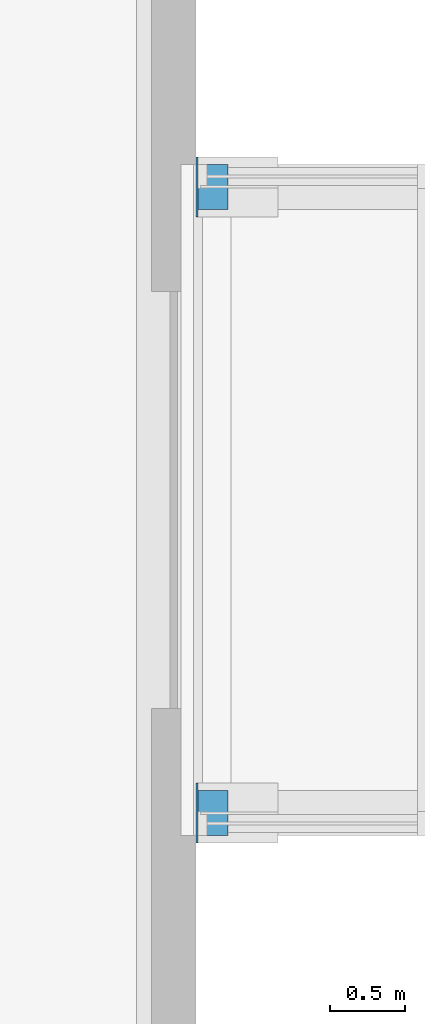
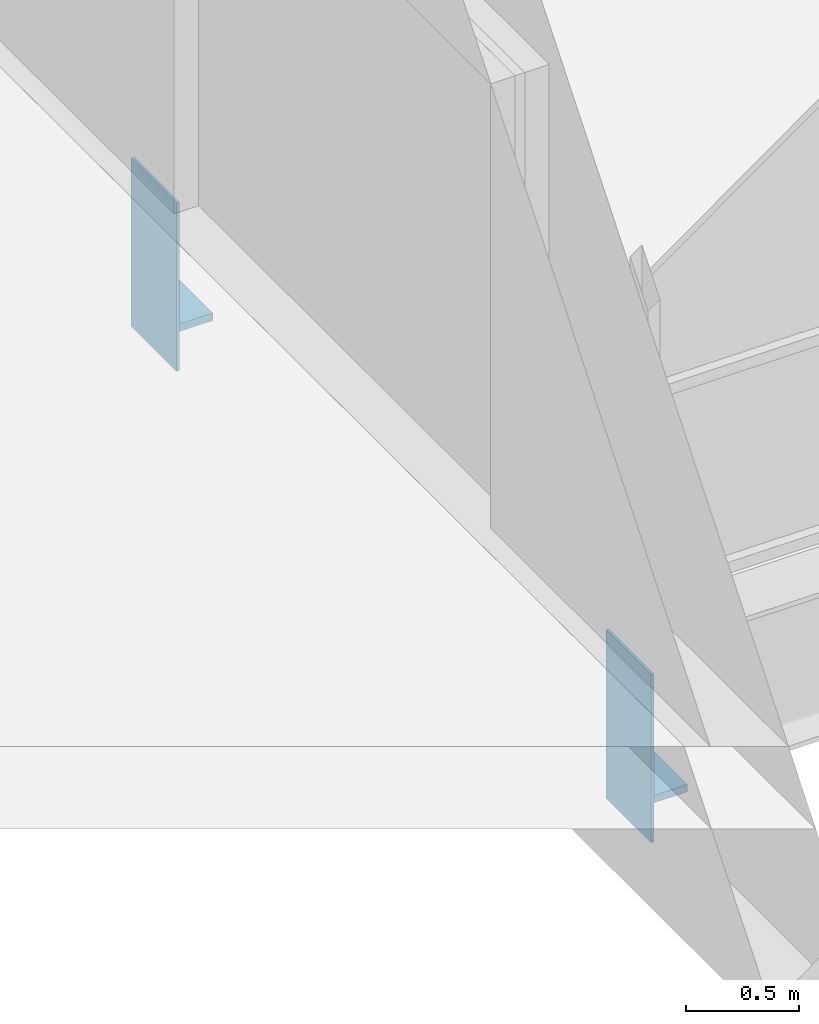
# One storey, part 71 of 88: 4 discrete accessories.
"""IFC4 building model written with IfcOpenShell, lengths in metres."""

from ifc_helpers import new_model, si_unit, direction, frame, origin, origin_2d, place, context, subcontext, project, spatial, rectangle, extrude, material, layer, layer_set, type_object, element, save


model = new_model("IFC4")

# Units and contexts
model_context = context("Model", 3, precision=1e-05, world=origin(), true_north=direction((0.0, 1.0)))
body_context = subcontext(model_context, "Body", "Model", "MODEL_VIEW")
ifc_project = project(units=[si_unit("LENGTHUNIT", "METRE"), si_unit("AREAUNIT", "SQUARE_METRE"), si_unit("VOLUMEUNIT", "CUBIC_METRE"), si_unit("PLANEANGLEUNIT", "RADIAN"), si_unit("MASSUNIT", "GRAM", prefix="KILO")], contexts=[model_context])

# Site, building, storey
site_placement = place(None, origin())
site = spatial("IfcSite", under=ifc_project, at=site_placement, CompositionType="ELEMENT")
building_placement = place(site_placement, origin())
building = spatial("IfcBuilding", under=site, at=building_placement, Name="Guidao Yard Department Store", CompositionType="ELEMENT")
storey_placement = place(building_placement, frame((0.0, 0.0, 6.0)))
storey = spatial("IfcBuildingStorey", under=building, at=storey_placement, Name="L01", CompositionType="ELEMENT", Elevation=6.0)

# Discrete accessories
ifc_material_1 = material(Name="Steel Q355B", Category="steel")
ifc_layer_1 = layer(ifc_material_1, 0.014892578125)
ifc_layer_set_1 = layer_set([ifc_layer_1], Name="Bridge girder back plate SB1 steel")
discrete_accessory_type_1 = type_object("IfcDiscreteAccessoryType", Name="Bridge girder back plate SB1 steel", PredefinedType="BRACKET", material=ifc_layer_set_1)
for number, where, z_axis, x_axis, name in (
    (1, (63.007568359375, 56.39990234375, -1.259765625), (0.0, 0.0, 1.0), (1.0, 0.0, 0.0), "Bridge girder back plate BR01S S"),
    (2, (63.007568359375, 60.60009765625, -1.259765625), (0.0, 0.0, 1.0), (1.0, 0.0, 0.0), "Bridge girder back plate BR01N S"),
):
    element("IfcDiscreteAccessory", number, at=place(storey_placement, frame(where, z_axis=z_axis, x_axis=x_axis)), inside=storey, type_object=discrete_accessory_type_1, Name=name, PredefinedType="BRACKET", context=body_context, shape_type="SweptSolid", body=[
        extrude(rectangle(XDim=0.014892578125, YDim=0.39990234375, at=origin_2d()), origin(), (0.0, 0.0, 1.0), 0.909912109375),
    ])
ifc_material_2 = material(Name="Steel Q355B", Category="steel")
ifc_layer_2 = layer(ifc_material_2, 0.0400390625)
ifc_layer_set_2 = layer_set([ifc_layer_2], Name="Bridge girder sliding bearing BS1 PTFE on steel")
discrete_accessory_type_2 = type_object("IfcDiscreteAccessoryType", Name="Bridge girder sliding bearing BS1 PTFE on steel", PredefinedType="SHOE", material=ifc_layer_set_2)
for number, where, z_axis, x_axis, name in (
    (3, (63.114990234375, 56.39990234375, -1.090087890625), (0.0, 0.0, 1.0), (1.0, 0.0, 0.0), "Bridge girder sliding bearing BR01S"),
    (4, (63.114990234375, 60.60009765625, -1.090087890625), (0.0, 0.0, 1.0), (1.0, 0.0, 0.0), "Bridge girder sliding bearing BR01N"),
):
    element("IfcDiscreteAccessory", number, at=place(storey_placement, frame(where, z_axis=z_axis, x_axis=x_axis)), inside=storey, type_object=discrete_accessory_type_2, Name=name, PredefinedType="SHOE", context=body_context, shape_type="SweptSolid", body=[
        extrude(rectangle(XDim=0.199951171875, YDim=0.300048828125, at=origin_2d()), origin(), (0.0, 0.0, 1.0), 0.0400390625),
    ])

save(model, "model.ifc")
